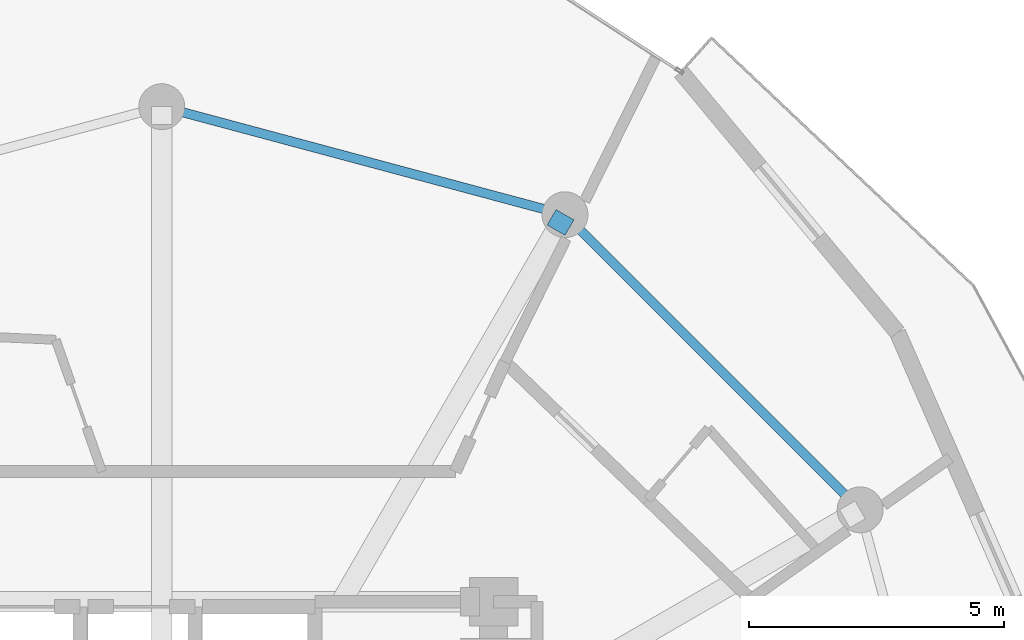
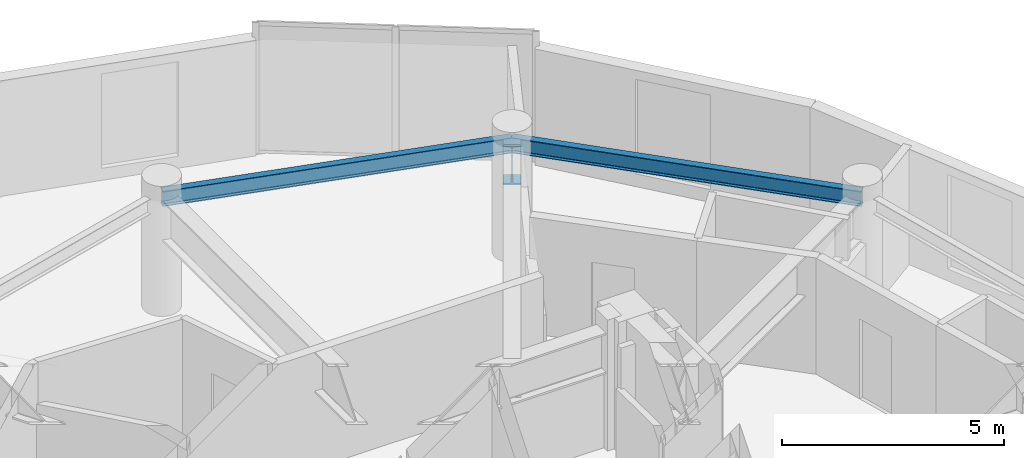
# One storey, part 14 of 22: 3 beams.
"""IFC4 building model written with IfcOpenShell, lengths in metres."""

from ifc_helpers import new_model, si_unit, direction, frame, origin, origin_2d, place, context, subcontext, project, spatial, i_section, extrude, material, material_profile, profile_set, type_object, element, save


model = new_model("IFC4")

# Units and contexts
model_context = context("Model", 3, precision=1e-05, world=origin(), true_north=direction((0.0, 1.0)))
body_context = subcontext(model_context, "Body", "Model", "MODEL_VIEW")
ifc_project = project(units=[si_unit("LENGTHUNIT", "METRE"), si_unit("AREAUNIT", "SQUARE_METRE"), si_unit("VOLUMEUNIT", "CUBIC_METRE"), si_unit("PLANEANGLEUNIT", "RADIAN"), si_unit("MASSUNIT", "GRAM", prefix="KILO")], contexts=[model_context])

# Site, building, storey
site_placement = place(None, origin())
site = spatial("IfcSite", under=ifc_project, at=site_placement, CompositionType="ELEMENT")
building_placement = place(site_placement, origin())
building = spatial("IfcBuilding", under=site, at=building_placement, Name="Solvirekh Grand Hotel", CompositionType="ELEMENT")
storey_placement = place(building_placement, frame((0.0, 0.0, 230.800048828125)))
storey = spatial("IfcBuildingStorey", under=building, at=storey_placement, Name="L60", CompositionType="ELEMENT", Elevation=230.800048828125)

# Beams
ifc_material_1 = material(Name="Steel S355", Category="steel")
ifc_material_profile_1 = material_profile(ifc_material_1, i_section(OverallWidth=0.180908203125, OverallDepth=0.4169921875, WebThickness=0.010009765625, FlangeThickness=0.01611328125, FilletRadius=0.011962890625, at=origin_2d()), Name="W410X85")
ifc_profile_set_1 = profile_set([ifc_material_profile_1], Name="Steel S355")
beam_type_1 = type_object("IfcBeamType", Name="Spandrel_Ring_W410", PredefinedType="SPANDREL", material=ifc_profile_set_1)
for number, where, z_axis, x_axis, name in (
    (1, (13.68310546875, 7.89990234375, 2.991943359375), (-0.707106781187, 0.707106781187, 0.0), (-0.707106781187, -0.707106781187, 0.0), "L60 perimeter spandrel beam 2"),
    (2, (7.89990234375, 13.68310546875, 2.991943359375), (-0.965920601923, 0.258838541915, 0.0), (-0.258838541915, -0.965920601923, 0.0), "L60 perimeter spandrel beam 3"),
):
    element("IfcBeam", number, at=place(storey_placement, frame(where, z_axis=z_axis, x_axis=x_axis)), inside=storey, type_object=beam_type_1, Name=name, PredefinedType="SPANDREL", context=body_context, shape_type="SweptSolid", body=[
        extrude(i_section(OverallWidth=0.180908203125, OverallDepth=0.4169921875, WebThickness=0.010009765625, FlangeThickness=0.01611328125, FilletRadius=0.011962890625, at=origin_2d()), origin(), (0.0, 0.0, 1.0), 8.1787109375),
    ])
ifc_material_2 = material(Name="Steel S460", Category="steel")
ifc_material_profile_2 = material_profile(ifc_material_2, i_section(OverallWidth=0.405029296875, OverallDepth=1.117919921875, WebThickness=0.02587890625, FlangeThickness=0.048095703125, FilletRadius=0.02392578125, at=origin_2d()), Name="W1100X499")
ifc_profile_set_2 = profile_set([ifc_material_profile_2], Name="Steel S460")
beam_type_2 = type_object("IfcBeamType", Name="TransferGirder_W1100", PredefinedType="USERDEFINED", material=ifc_profile_set_2)
beam_placement = place(storey_placement, frame((7.72509765625, 13.3798828125, 2.640869140625), z_axis=(0.499440622861, 0.866348119543, 0.0), x_axis=(-0.866348119543, 0.499440622861, 0.0)))
element("IfcBeam", 3, at=beam_placement, inside=storey, type_object=beam_type_2, Name="L60 outer radial transfer girder 3B", ObjectType="TRANSFER GIRDER", PredefinedType="USERDEFINED", context=body_context, shape_type="SweptSolid", body=[
    extrude(i_section(OverallWidth=0.405029296875, OverallDepth=1.117919921875, WebThickness=0.02587890625, FlangeThickness=0.048095703125, FilletRadius=0.02392578125, at=origin_2d()), origin(), (0.0, 0.0, 1.0), 0.35009765625),
])

save(model, "model.ifc")
